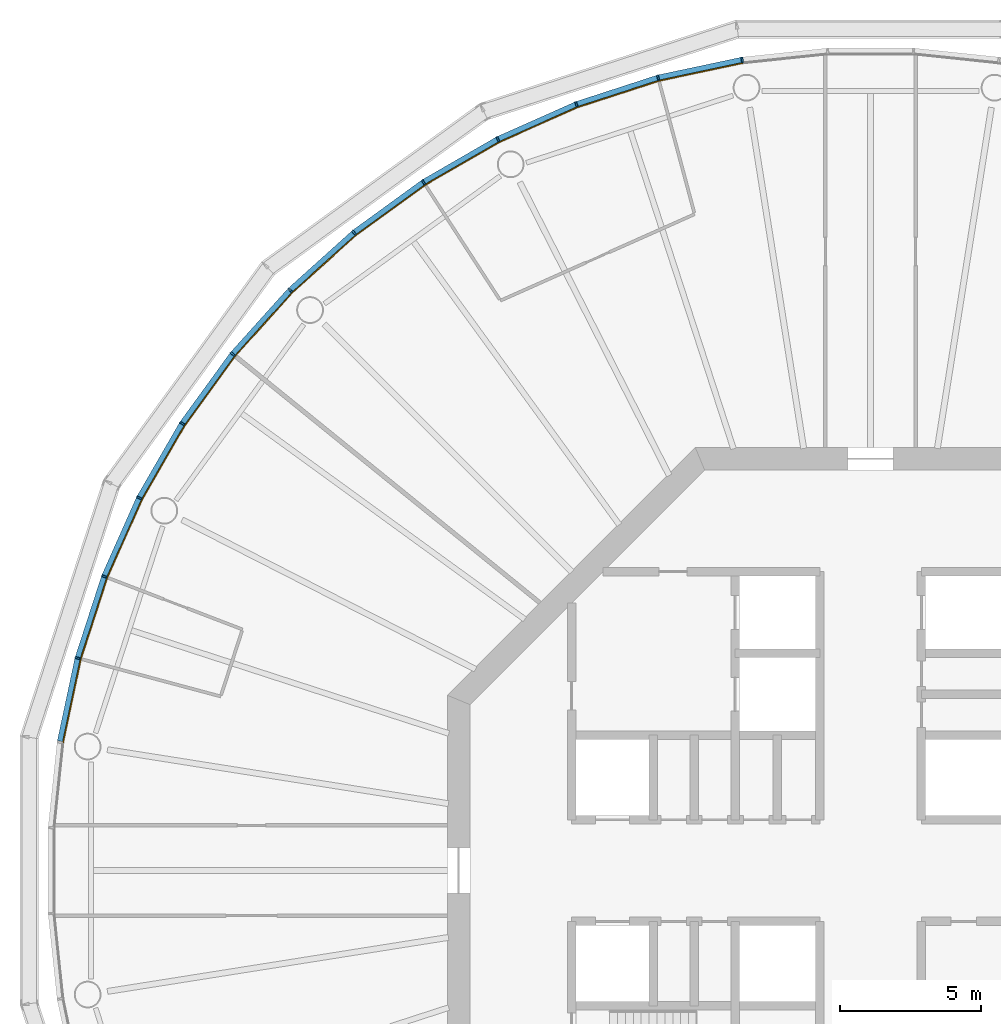
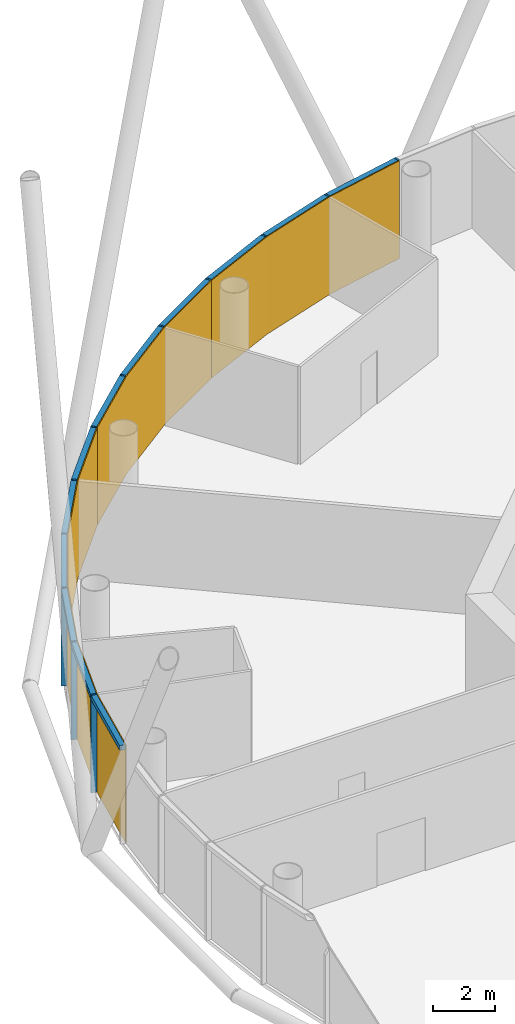
# One storey, part 10 of 13: 24 members, 4 curtain walls.
"""IFC4 building model written with IfcOpenShell, lengths in metres."""

from ifc_helpers import new_model, si_unit, direction, frame, origin, origin_2d, place, context, subcontext, project, spatial, polyline, rectangle, outline, extrude, material, layer, layer_set, material_profile, profile_set, type_object, element, aggregate, save


model = new_model("IFC4")

# Units and contexts
model_context = context("Model", 3, precision=1e-05, world=origin(), true_north=direction((0.0, 1.0)))
body_context = subcontext(model_context, "Body", "Model", "MODEL_VIEW")
ifc_project = project(units=[si_unit("LENGTHUNIT", "METRE"), si_unit("AREAUNIT", "SQUARE_METRE"), si_unit("VOLUMEUNIT", "CUBIC_METRE"), si_unit("PLANEANGLEUNIT", "RADIAN"), si_unit("MASSUNIT", "GRAM", prefix="KILO")], contexts=[model_context])

# Member
ifc_material_1 = material(Name="Anodised aluminium", Category="aluminium")
ifc_material_profile_1 = material_profile(ifc_material_1, rectangle(XDim=0.06494140625, YDim=0.195068359375, at=origin_2d()), Name="Mullion 65 x 195 mm anodised aluminium")
ifc_profile_set_1 = profile_set([ifc_material_profile_1], Name="Anodised aluminium")
member_type_1 = type_object("IfcMemberType", Name="Mullion 65 x 195 mm anodised aluminium", PredefinedType="MULLION", material=ifc_profile_set_1)
site_placement = place(None, origin())
building_placement = place(site_placement, origin())
storey_placement = place(building_placement, frame((0.0, 0.0, 274.0)))
member_1_placement = place(storey_placement, frame((85.4482421875, 108.7392578125, 0.0), z_axis=(0.0, 0.0, 1.0), x_axis=(-0.987688340595, -0.15643446504, 0.0)))
member_1 = element("IfcMember", 1, at=member_1_placement, type_object=member_type_1, Name="MULLION L62-15", PredefinedType="MULLION", context=body_context, shape_type="SweptSolid", body=[
    extrude(rectangle(XDim=0.06494140625, YDim=0.195068359375, at=origin_2d()), origin(), (0.0, 0.0, 1.0), 3.85009765625),
])

member_2_placement = place(storey_placement, frame((82.468994140625, 108.10595703125, 0.0), z_axis=(0.0, 0.0, 1.0), x_axis=(-0.965925826289, -0.258819045103, 0.0)))
member_2 = element("IfcMember", 2, at=member_2_placement, type_object=member_type_1, Name="MULLION L62-16", PredefinedType="MULLION", context=body_context, shape_type="SweptSolid", body=[
    extrude(rectangle(XDim=0.06494140625, YDim=0.195068359375, at=origin_2d()), origin(), (0.0, 0.0, 1.0), 3.85009765625),
])

member_3_placement = place(storey_placement, frame((79.572509765625, 107.164794921875, 0.0), z_axis=(0.0, 0.0, 1.0), x_axis=(-0.933580426497, -0.358367949545, 0.0)))
member_3 = element("IfcMember", 3, at=member_3_placement, type_object=member_type_1, Name="MULLION L62-17", PredefinedType="MULLION", context=body_context, shape_type="SweptSolid", body=[
    extrude(rectangle(XDim=0.06494140625, YDim=0.195068359375, at=origin_2d()), origin(), (0.0, 0.0, 1.0), 3.85009765625),
])

member_4_placement = place(storey_placement, frame((76.7900390625, 105.926025390625, 0.0), z_axis=(0.0, 0.0, 1.0), x_axis=(-0.891006524188, -0.45399049974, 0.0)))
member_4 = element("IfcMember", 4, at=member_4_placement, type_object=member_type_1, Name="MULLION L62-18", PredefinedType="MULLION", context=body_context, shape_type="SweptSolid", body=[
    extrude(rectangle(XDim=0.06494140625, YDim=0.195068359375, at=origin_2d()), origin(), (0.0, 0.0, 1.0), 3.85009765625),
])

member_5_placement = place(storey_placement, frame((74.15234375, 104.4033203125, 0.0), z_axis=(0.0, 0.0, 1.0), x_axis=(-0.838670567945, -0.544639035015, 0.0)))
member_5 = element("IfcMember", 5, at=member_5_placement, type_object=member_type_1, Name="MULLION L62-19", PredefinedType="MULLION", context=body_context, shape_type="SweptSolid", body=[
    extrude(rectangle(XDim=0.06494140625, YDim=0.195068359375, at=origin_2d()), origin(), (0.0, 0.0, 1.0), 3.85009765625),
])

member_6_placement = place(storey_placement, frame((71.688232421875, 102.613037109375, 0.0), z_axis=(0.0, 0.0, 1.0), x_axis=(-0.777145961457, -0.62932039105, 0.0)))
member_6 = element("IfcMember", 6, at=member_6_placement, type_object=member_type_1, Name="MULLION L62-20", PredefinedType="MULLION", context=body_context, shape_type="SweptSolid", body=[
    extrude(rectangle(XDim=0.06494140625, YDim=0.195068359375, at=origin_2d()), origin(), (0.0, 0.0, 1.0), 3.85009765625),
])

member_7_placement = place(storey_placement, frame((69.425048828125, 100.574951171875, 0.0), z_axis=(0.0, 0.0, 1.0), x_axis=(-0.707106781187, -0.707106781187, 0.0)))
member_7 = element("IfcMember", 7, at=member_7_placement, type_object=member_type_1, Name="MULLION L62-21", PredefinedType="MULLION", context=body_context, shape_type="SweptSolid", body=[
    extrude(rectangle(XDim=0.06494140625, YDim=0.195068359375, at=origin_2d()), origin(), (0.0, 0.0, 1.0), 3.85009765625),
])

member_8_placement = place(storey_placement, frame((67.386962890625, 98.311767578125, 0.0), z_axis=(0.0, 0.0, 1.0), x_axis=(-0.62932039105, -0.777145961457, 0.0)))
member_8 = element("IfcMember", 8, at=member_8_placement, type_object=member_type_1, Name="MULLION L62-22", PredefinedType="MULLION", context=body_context, shape_type="SweptSolid", body=[
    extrude(rectangle(XDim=0.06494140625, YDim=0.195068359375, at=origin_2d()), origin(), (0.0, 0.0, 1.0), 3.85009765625),
])

member_9_placement = place(storey_placement, frame((65.5966796875, 95.84765625, 0.0), z_axis=(0.0, 0.0, 1.0), x_axis=(-0.544639035015, -0.838670567945, 0.0)))
member_9 = element("IfcMember", 9, at=member_9_placement, type_object=member_type_1, Name="MULLION L62-23", PredefinedType="MULLION", context=body_context, shape_type="SweptSolid", body=[
    extrude(rectangle(XDim=0.06494140625, YDim=0.195068359375, at=origin_2d()), origin(), (0.0, 0.0, 1.0), 3.85009765625),
])

member_10_placement = place(storey_placement, frame((64.073974609375, 93.2099609375, 0.0), z_axis=(0.0, 0.0, 1.0), x_axis=(-0.45399049974, -0.891006524188, 0.0)))
member_10 = element("IfcMember", 10, at=member_10_placement, type_object=member_type_1, Name="MULLION L62-24", PredefinedType="MULLION", context=body_context, shape_type="SweptSolid", body=[
    extrude(rectangle(XDim=0.06494140625, YDim=0.195068359375, at=origin_2d()), origin(), (0.0, 0.0, 1.0), 3.85009765625),
])

member_11_placement = place(storey_placement, frame((62.835205078125, 90.427490234375, 0.0), z_axis=(0.0, 0.0, 1.0), x_axis=(-0.358367949545, -0.933580426497, 0.0)))
member_11 = element("IfcMember", 11, at=member_11_placement, type_object=member_type_1, Name="MULLION L62-25", PredefinedType="MULLION", context=body_context, shape_type="SweptSolid", body=[
    extrude(rectangle(XDim=0.06494140625, YDim=0.195068359375, at=origin_2d()), origin(), (0.0, 0.0, 1.0), 3.85009765625),
])

member_12_placement = place(storey_placement, frame((61.89404296875, 87.531005859375, 0.0), z_axis=(0.0, 0.0, 1.0), x_axis=(-0.258819045103, -0.965925826289, 0.0)))
member_12 = element("IfcMember", 12, at=member_12_placement, type_object=member_type_1, Name="MULLION L62-26", PredefinedType="MULLION", context=body_context, shape_type="SweptSolid", body=[
    extrude(rectangle(XDim=0.06494140625, YDim=0.195068359375, at=origin_2d()), origin(), (0.0, 0.0, 1.0), 3.85009765625),
])

ifc_material_2 = material(Name="Anodised aluminium", Category="aluminium")
ifc_material_profile_2 = material_profile(ifc_material_2, rectangle(XDim=0.195068359375, YDim=0.179931640625, at=origin_2d()), Name="Transom 180 x 195 mm anodised aluminium")
ifc_profile_set_2 = profile_set([ifc_material_profile_2], Name="Anodised aluminium")
member_type_2 = type_object("IfcMemberType", Name="Transom 180 x 195 mm anodised aluminium", PredefinedType="USERDEFINED", material=ifc_profile_set_2)
member_13_placement = place(storey_placement, frame((85.411376953125, 108.731689453125, 3.760009765625), z_axis=(-0.978141510112, -0.207940342877, 0.0), x_axis=(0.207940342877, -0.978141510112, 0.0)))
member_13 = element("IfcMember", 13, at=member_13_placement, type_object=member_type_2, Name="TRANSOM L62-15", ObjectType="TRANSOM", PredefinedType="USERDEFINED", context=body_context, shape_type="SweptSolid", body=[
    extrude(rectangle(XDim=0.195068359375, YDim=0.179931640625, at=origin_2d()), origin(), (0.0, 0.0, 1.0), 2.970458984375),
])

member_14_placement = place(storey_placement, frame((82.43310546875, 108.094482421875, 3.760009765625), z_axis=(-0.951047960094, -0.309043326415, 0.0), x_axis=(0.309043326415, -0.951047960094, 0.0)))
member_14 = element("IfcMember", 14, at=member_14_placement, type_object=member_type_2, Name="TRANSOM L62-16", ObjectType="TRANSOM", PredefinedType="USERDEFINED", context=body_context, shape_type="SweptSolid", body=[
    extrude(rectangle(XDim=0.195068359375, YDim=0.179931640625, at=origin_2d()), origin(), (0.0, 0.0, 1.0), 2.970458984375),
])

member_15_placement = place(storey_placement, frame((79.5380859375, 107.149658203125, 3.760009765625), z_axis=(-0.913550406593, -0.406725527369, 0.0), x_axis=(0.406725527369, -0.913550406593, 0.0)))
member_15 = element("IfcMember", 15, at=member_15_placement, type_object=member_type_2, Name="TRANSOM L62-17", ObjectType="TRANSOM", PredefinedType="USERDEFINED", context=body_context, shape_type="SweptSolid", body=[
    extrude(rectangle(XDim=0.195068359375, YDim=0.179931640625, at=origin_2d()), origin(), (0.0, 0.0, 1.0), 2.970703125),
])

member_16_placement = place(storey_placement, frame((76.75732421875, 105.907470703125, 3.760009765625), z_axis=(-0.866009025146, -0.500028367561, 0.0), x_axis=(0.500028367561, -0.866009025146, 0.0)))
member_16 = element("IfcMember", 16, at=member_16_placement, type_object=member_type_2, Name="TRANSOM L62-18", ObjectType="TRANSOM", PredefinedType="USERDEFINED", context=body_context, shape_type="SweptSolid", body=[
    extrude(rectangle(XDim=0.195068359375, YDim=0.179931640625, at=origin_2d()), origin(), (0.0, 0.0, 1.0), 2.970458984375),
])

member_17_placement = place(storey_placement, frame((74.121826171875, 104.381103515625, 3.760009765625), z_axis=(-0.809030990733, -0.587765987476, 0.0), x_axis=(0.587765987476, -0.809030990733, 0.0)))
member_17 = element("IfcMember", 17, at=member_17_placement, type_object=member_type_2, Name="TRANSOM L62-19", ObjectType="TRANSOM", PredefinedType="USERDEFINED", context=body_context, shape_type="SweptSolid", body=[
    extrude(rectangle(XDim=0.195068359375, YDim=0.179931640625, at=origin_2d()), origin(), (0.0, 0.0, 1.0), 2.97021484375),
])

member_18_placement = place(storey_placement, frame((71.660400390625, 102.587890625, 3.760009765625), z_axis=(-0.743163354343, -0.669110027395, 0.0), x_axis=(0.669110027395, -0.743163354343, 0.0)))
member_18 = element("IfcMember", 18, at=member_18_placement, type_object=member_type_2, Name="TRANSOM L62-20", ObjectType="TRANSOM", PredefinedType="USERDEFINED", context=body_context, shape_type="SweptSolid", body=[
    extrude(rectangle(XDim=0.195068359375, YDim=0.179931640625, at=origin_2d()), origin(), (0.0, 0.0, 1.0), 2.970458984375),
])

member_19_placement = place(storey_placement, frame((69.399658203125, 100.547119140625, 3.760009765625), z_axis=(-0.669110027395, -0.743163354343, 0.0), x_axis=(0.743163354343, -0.669110027395, 0.0)))
member_19 = element("IfcMember", 19, at=member_19_placement, type_object=member_type_2, Name="TRANSOM L62-21", ObjectType="TRANSOM", PredefinedType="USERDEFINED", context=body_context, shape_type="SweptSolid", body=[
    extrude(rectangle(XDim=0.195068359375, YDim=0.179931640625, at=origin_2d()), origin(), (0.0, 0.0, 1.0), 2.970458984375),
])

member_20_placement = place(storey_placement, frame((67.36474609375, 98.28125, 3.760009765625), z_axis=(-0.587765987476, -0.809030990733, 0.0), x_axis=(0.809030990733, -0.587765987476, 0.0)))
member_20 = element("IfcMember", 20, at=member_20_placement, type_object=member_type_2, Name="TRANSOM L62-22", ObjectType="TRANSOM", PredefinedType="USERDEFINED", context=body_context, shape_type="SweptSolid", body=[
    extrude(rectangle(XDim=0.195068359375, YDim=0.179931640625, at=origin_2d()), origin(), (0.0, 0.0, 1.0), 2.97021484375),
])

member_21_placement = place(storey_placement, frame((65.577880859375, 95.815185546875, 3.760009765625), z_axis=(-0.500028367561, -0.866009025146, 0.0), x_axis=(0.866009025146, -0.500028367561, 0.0)))
member_21 = element("IfcMember", 21, at=member_21_placement, type_object=member_type_2, Name="TRANSOM L62-23", ObjectType="TRANSOM", PredefinedType="USERDEFINED", context=body_context, shape_type="SweptSolid", body=[
    extrude(rectangle(XDim=0.195068359375, YDim=0.179931640625, at=origin_2d()), origin(), (0.0, 0.0, 1.0), 2.970458984375),
])

member_22_placement = place(storey_placement, frame((64.05859375, 93.17578125, 3.760009765625), z_axis=(-0.406725527369, -0.913550406593, 0.0), x_axis=(0.913550406593, -0.406725527369, 0.0)))
member_22 = element("IfcMember", 22, at=member_22_placement, type_object=member_type_2, Name="TRANSOM L62-24", ObjectType="TRANSOM", PredefinedType="USERDEFINED", context=body_context, shape_type="SweptSolid", body=[
    extrude(rectangle(XDim=0.195068359375, YDim=0.179931640625, at=origin_2d()), origin(), (0.0, 0.0, 1.0), 2.970703125),
])

member_23_placement = place(storey_placement, frame((62.823486328125, 90.391845703125, 3.760009765625), z_axis=(-0.309043326415, -0.951047960094, 0.0), x_axis=(0.951047960094, -0.309043326415, 0.0)))
member_23 = element("IfcMember", 23, at=member_23_placement, type_object=member_type_2, Name="TRANSOM L62-25", ObjectType="TRANSOM", PredefinedType="USERDEFINED", context=body_context, shape_type="SweptSolid", body=[
    extrude(rectangle(XDim=0.195068359375, YDim=0.179931640625, at=origin_2d()), origin(), (0.0, 0.0, 1.0), 2.970458984375),
])

member_24_placement = place(storey_placement, frame((61.885986328125, 87.494140625, 3.760009765625), z_axis=(-0.207940342877, -0.978141510112, 0.0), x_axis=(0.978141510112, -0.207940342877, 0.0)))
member_24 = element("IfcMember", 24, at=member_24_placement, type_object=member_type_2, Name="TRANSOM L62-26", ObjectType="TRANSOM", PredefinedType="USERDEFINED", context=body_context, shape_type="SweptSolid", body=[
    extrude(rectangle(XDim=0.195068359375, YDim=0.179931640625, at=origin_2d()), origin(), (0.0, 0.0, 1.0), 2.970458984375),
])

# Site, building, storey
site = spatial("IfcSite", under=ifc_project, at=site_placement, CompositionType="ELEMENT")
building = spatial("IfcBuilding", under=site, at=building_placement, Name="Entoto Ring Tower", CompositionType="ELEMENT")
storey = spatial("IfcBuildingStorey", under=building, at=storey_placement, Name="L62", CompositionType="ELEMENT", Elevation=274.0)

# Curtain wall
ifc_material_3 = material(Name="Clear low-iron glass", Category="glass")
ifc_layer = layer(ifc_material_3, 0.033935546875)
ifc_layer_set = layer_set([ifc_layer], Name="Clear low-iron glass")
curtain_wall_type = type_object("IfcCurtainWallType", Name="Curtain wall system CW5 glazing 34 mm", PredefinedType="NOTDEFINED", material=ifc_layer_set)
curtain_wall_1_placement = place(storey_placement, origin())
curtain_wall_1 = element("IfcCurtainWall", 25, at=curtain_wall_1_placement, inside=storey, type_object=curtain_wall_type, Name="CW5 L62-06", PredefinedType="NOTDEFINED", context=body_context, shape_type="SweptSolid", body=[
    extrude(outline(polyline([(85.46337890625, 108.64306640625), (82.494140625, 108.011962890625), (79.607421875, 107.07373046875), (76.834228515625, 105.839111328125), (76.849853515625, 105.808837890625), (79.61962890625, 107.0419921875), (82.503173828125, 107.97900390625), (85.46875, 108.609375), (85.46337890625, 108.64306640625)])), origin(), (0.0, 0.0, 1.0), 3.85009765625),
])

aggregate(curtain_wall_1, [member_1, member_2, member_3, member_13, member_14, member_15])

curtain_wall_2_placement = place(storey_placement, origin())
curtain_wall_2 = element("IfcCurtainWall", 26, at=curtain_wall_2_placement, inside=storey, type_object=curtain_wall_type, Name="CW5 L62-07", PredefinedType="NOTDEFINED", context=body_context, shape_type="SweptSolid", body=[
    extrude(outline(polyline([(76.834228515625, 105.839111328125), (74.20556640625, 104.321533203125), (71.749755859375, 102.537353515625), (69.493896484375, 100.506103515625), (69.51806640625, 100.48193359375), (71.771240234375, 102.5107421875), (74.22412109375, 104.29296875), (76.849853515625, 105.808837890625), (76.834228515625, 105.839111328125)])), origin(), (0.0, 0.0, 1.0), 3.85009765625),
])

aggregate(curtain_wall_2, [member_4, member_5, member_6, member_16, member_17, member_18])

curtain_wall_3_placement = place(storey_placement, origin())
curtain_wall_3 = element("IfcCurtainWall", 27, at=curtain_wall_3_placement, inside=storey, type_object=curtain_wall_type, Name="CW5 L62-08", PredefinedType="NOTDEFINED", context=body_context, shape_type="SweptSolid", body=[
    extrude(outline(polyline([(69.493896484375, 100.506103515625), (67.462646484375, 98.250244140625), (65.678466796875, 95.79443359375), (64.160888671875, 93.165771484375), (64.191162109375, 93.150146484375), (65.70703125, 95.77587890625), (67.4892578125, 98.228759765625), (69.51806640625, 100.48193359375), (69.493896484375, 100.506103515625)])), origin(), (0.0, 0.0, 1.0), 3.85009765625),
])

aggregate(curtain_wall_3, [member_7, member_8, member_9, member_19, member_20, member_21])

curtain_wall_4_placement = place(storey_placement, origin())
curtain_wall_4 = element("IfcCurtainWall", 28, at=curtain_wall_4_placement, inside=storey, type_object=curtain_wall_type, Name="CW5 L62-09", PredefinedType="NOTDEFINED", context=body_context, shape_type="SweptSolid", body=[
    extrude(outline(polyline([(64.160888671875, 93.165771484375), (62.92626953125, 90.392578125), (61.988037109375, 87.505859375), (61.35693359375, 84.53662109375), (61.390625, 84.53125), (62.02099609375, 87.496826171875), (62.9580078125, 90.38037109375), (64.191162109375, 93.150146484375), (64.160888671875, 93.165771484375)])), origin(), (0.0, 0.0, 1.0), 3.85009765625),
])

aggregate(curtain_wall_4, [member_10, member_11, member_12, member_22, member_23, member_24])

save(model, "model.ifc")
